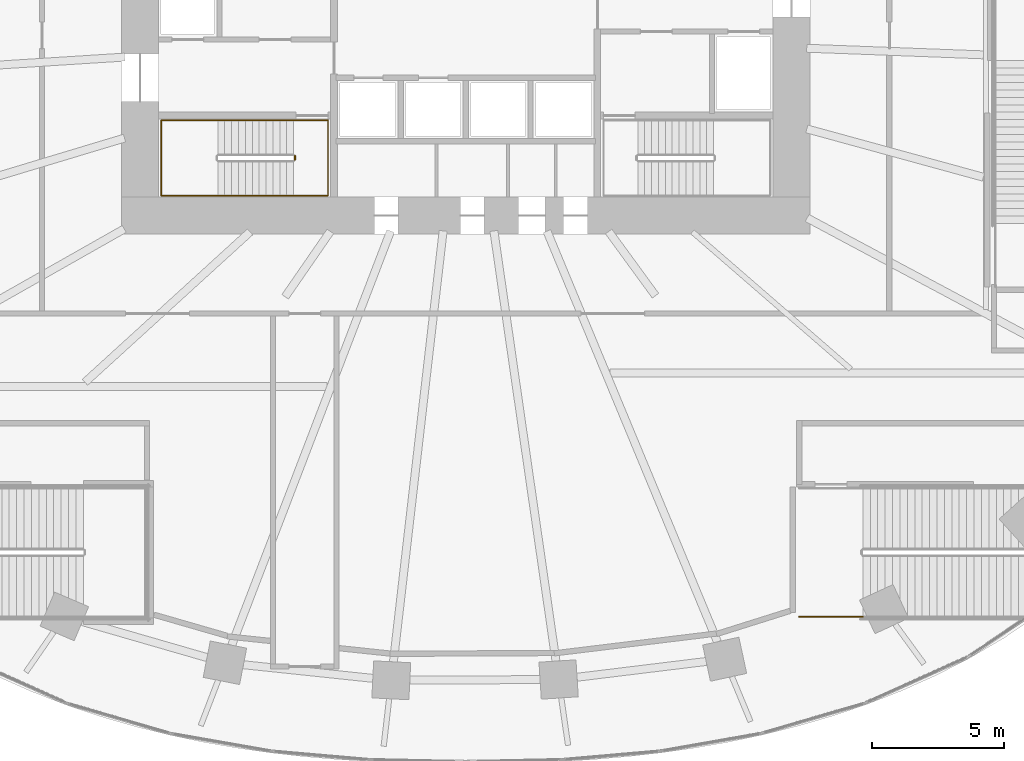
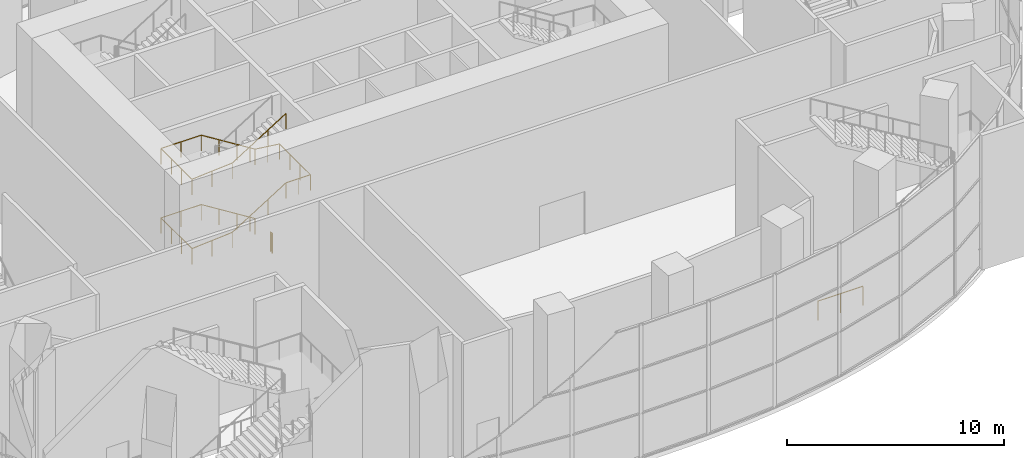
# One storey, part 19 of 22: 3 railings.
"""IFC4 building model written with IfcOpenShell, lengths in metres."""

from ifc_helpers import new_model, si_unit, direction, frame, origin, origin_2d, place, context, subcontext, project, spatial, circle, extrude, material, type_object, element, save


model = new_model("IFC4")

# Units and contexts
model_context = context("Model", 3, precision=1e-05, world=origin(), true_north=direction((0.0, 1.0)))
body_context = subcontext(model_context, "Body", "Model", "MODEL_VIEW")
ifc_project = project(units=[si_unit("LENGTHUNIT", "METRE"), si_unit("AREAUNIT", "SQUARE_METRE"), si_unit("VOLUMEUNIT", "CUBIC_METRE"), si_unit("PLANEANGLEUNIT", "RADIAN"), si_unit("MASSUNIT", "GRAM", prefix="KILO")], contexts=[model_context])

# Site, building, storey
site_placement = place(None, origin())
site = spatial("IfcSite", under=ifc_project, at=site_placement, CompositionType="ELEMENT")
building_placement = place(site_placement, origin())
building = spatial("IfcBuilding", under=site, at=building_placement, Name="Rubra Terraces Tower", CompositionType="ELEMENT")
storey_placement = place(building_placement, frame((0.0, 0.0, 7.199951171875)))
storey = spatial("IfcBuildingStorey", under=building, at=storey_placement, Name="L01", CompositionType="ELEMENT", Elevation=7.199951171875)

# Railings
ifc_material = material(Name="Stainless steel", Category="steel")
railing_type_1 = type_object("IfcRailingType", Name="Core stair guard 1100", PredefinedType="GUARDRAIL", material=ifc_material)
railing_1_placement = place(storey_placement, frame((-6.449951171875, -0.050048828125, 0.0)))
element("IfcRailing", 1, at=railing_1_placement, inside=storey, type_object=railing_type_1, Name="L01 stair S1 guard 2", PredefinedType="GUARDRAIL", context=body_context, shape_type="SweptSolid", body=[
    extrude(circle(Radius=0.02392578125, at=origin_2d()), frame((0.0, 0.0, 1.076171875), z_axis=(0.0, -1.0, 0.0), x_axis=(1.0, 0.0, 0.0)), (0.0, 0.0, 1.0), 0.14990234375),
    extrude(circle(Radius=0.02099609375, at=origin_2d()), origin(), (0.0, 0.0, 1.0), 1.052001953125),
    extrude(circle(Radius=0.02099609375, at=origin_2d()), frame((0.0, -0.14990234375, 0.0)), (0.0, 0.0, 1.0), 1.052001953125),
])
railing_type_2 = type_object("IfcRailingType", Name="Core stair handrail 900", PredefinedType="HANDRAIL", material=ifc_material)
railing_2_placement = place(storey_placement, frame((-6.5, 1.300048828125, 0.16259765625)))
element("IfcRailing", 2, at=railing_2_placement, inside=storey, type_object=railing_type_2, Name="L01 stair S1 handrail 1", PredefinedType="HANDRAIL", context=body_context, shape_type="SweptSolid", body=[
    extrude(circle(Radius=0.02392578125, at=origin_2d()), frame((0.0, 0.0, 0.8759765625), z_axis=(-0.848026770018, 0.0, 0.529953391661), x_axis=(0.0, -1.0, 0.0)), (0.0, 0.0, 1.0), 3.37255859375),
    extrude(circle(Radius=0.02392578125, at=origin_2d()), frame((-2.860107421875, 0.0, 2.6630859375), z_axis=(-1.0, 0.0, 0.0), x_axis=(0.0, -1.0, 0.0)), (0.0, 0.0, 1.0), 2.139892578125),
    extrude(circle(Radius=0.02392578125, at=origin_2d()), frame((-5.0, 0.0, 2.6630859375), z_axis=(0.0, -1.0, 0.0), x_axis=(1.0, 0.0, 0.0)), (0.0, 0.0, 1.0), 2.85009765625),
    extrude(circle(Radius=0.02392578125, at=origin_2d()), frame((-5.0, -2.85009765625, 2.6630859375), z_axis=(0.997125654253, 0.0, 0.075765623016), x_axis=(0.0, 1.0, 0.0)), (0.0, 0.0, 1.0), 2.14599609375),
    extrude(circle(Radius=0.02392578125, at=origin_2d()), frame((-2.860107421875, -2.85009765625, 2.82568359375), z_axis=(0.847994237388, 0.0, 0.530005446535), x_axis=(0.0, 1.0, 0.0)), (0.0, 0.0, 1.0), 3.372802734375),
    extrude(circle(Radius=0.02392578125, at=origin_2d()), frame((0.0, -2.85009765625, 4.61328125), z_axis=(1.0, 0.0, 0.0), x_axis=(0.0, 1.0, 0.0)), (0.0, 0.0, 1.0), 1.300048828125),
    extrude(circle(Radius=0.02392578125, at=origin_2d()), frame((1.300048828125, -2.85009765625, 4.61328125), z_axis=(0.0, 1.0, 0.0), x_axis=(-1.0, 0.0, 0.0)), (0.0, 0.0, 1.0), 2.85009765625),
    extrude(circle(Radius=0.02392578125, at=origin_2d()), frame((1.300048828125, 0.0, 4.61328125), z_axis=(-0.992292204392, 0.0, 0.123920059328), x_axis=(0.0, -1.0, 0.0)), (0.0, 0.0, 1.0), 1.31005859375),
    extrude(circle(Radius=0.02392578125, at=origin_2d()), frame((0.0, 0.0, 4.77587890625), z_axis=(-0.847994237388, 0.0, 0.530005446535), x_axis=(0.0, -1.0, 0.0)), (0.0, 0.0, 1.0), 3.372802734375),
    extrude(circle(Radius=0.02392578125, at=origin_2d()), frame((-2.860107421875, 0.0, 6.5634765625), z_axis=(-1.0, 0.0, 0.0), x_axis=(0.0, -1.0, 0.0)), (0.0, 0.0, 1.0), 2.139892578125),
    extrude(circle(Radius=0.02392578125, at=origin_2d()), frame((-5.0, 0.0, 6.5634765625), z_axis=(0.0, -1.0, 0.0), x_axis=(1.0, 0.0, 0.0)), (0.0, 0.0, 1.0), 2.85009765625),
    extrude(circle(Radius=0.02392578125, at=origin_2d()), frame((-5.0, -2.85009765625, 6.5634765625), z_axis=(0.9971342424, 0.0, 0.075652512401), x_axis=(0.0, 1.0, 0.0)), (0.0, 0.0, 1.0), 2.14599609375),
    extrude(circle(Radius=0.02392578125, at=origin_2d()), frame((-2.860107421875, -2.85009765625, 6.7255859375), z_axis=(0.847994237388, 0.0, 0.530005446535), x_axis=(0.0, 1.0, 0.0)), (0.0, 0.0, 1.0), 3.372802734375),
    extrude(circle(Radius=0.02099609375, at=origin_2d()), origin(), (0.0, 0.0, 1.0), 0.851806640625),
    extrude(circle(Radius=0.02099609375, at=origin_2d()), frame((-0.953369140625, 0.0, 0.595703125)), (0.0, 0.0, 1.0), 0.851806640625),
    extrude(circle(Radius=0.02099609375, at=origin_2d()), frame((-1.90673828125, 0.0, 1.191650390625)), (0.0, 0.0, 1.0), 0.851806640625),
    extrude(circle(Radius=0.02099609375, at=origin_2d()), frame((-2.860107421875, 0.0, 1.787353515625)), (0.0, 0.0, 1.0), 0.851806640625),
    extrude(circle(Radius=0.02099609375, at=origin_2d()), frame((-3.93017578125, 0.0, 1.787353515625)), (0.0, 0.0, 1.0), 0.851806640625),
    extrude(circle(Radius=0.02099609375, at=origin_2d()), frame((-5.0, 0.0, 1.787353515625)), (0.0, 0.0, 1.0), 0.851806640625),
    extrude(circle(Radius=0.02099609375, at=origin_2d()), frame((-5.0, -0.949951171875, 1.787353515625)), (0.0, 0.0, 1.0), 0.851806640625),
    extrude(circle(Radius=0.02099609375, at=origin_2d()), frame((-5.0, -1.900146484375, 1.787353515625)), (0.0, 0.0, 1.0), 0.851806640625),
    extrude(circle(Radius=0.02099609375, at=origin_2d()), frame((-5.0, -2.85009765625, 1.787353515625)), (0.0, 0.0, 1.0), 0.851806640625),
    extrude(circle(Radius=0.02099609375, at=origin_2d()), frame((-3.93017578125, -2.85009765625, 1.86865234375)), (0.0, 0.0, 1.0), 0.851806640625),
    extrude(circle(Radius=0.02099609375, at=origin_2d()), frame((-2.860107421875, -2.85009765625, 1.949951171875)), (0.0, 0.0, 1.0), 0.851806640625),
    extrude(circle(Radius=0.02099609375, at=origin_2d()), frame((-1.90673828125, -2.85009765625, 2.5458984375)), (0.0, 0.0, 1.0), 0.851806640625),
    extrude(circle(Radius=0.02099609375, at=origin_2d()), frame((-0.953369140625, -2.85009765625, 3.1416015625)), (0.0, 0.0, 1.0), 0.851806640625),
    extrude(circle(Radius=0.02099609375, at=origin_2d()), frame((0.0, -2.85009765625, 3.737548828125)), (0.0, 0.0, 1.0), 0.851806640625),
    extrude(circle(Radius=0.02099609375, at=origin_2d()), frame((0.64990234375, -2.85009765625, 3.737548828125)), (0.0, 0.0, 1.0), 0.851806640625),
    extrude(circle(Radius=0.02099609375, at=origin_2d()), frame((1.300048828125, -2.85009765625, 3.737548828125)), (0.0, 0.0, 1.0), 0.851806640625),
    extrude(circle(Radius=0.02099609375, at=origin_2d()), frame((1.300048828125, -1.900146484375, 3.737548828125)), (0.0, 0.0, 1.0), 0.851806640625),
    extrude(circle(Radius=0.02099609375, at=origin_2d()), frame((1.300048828125, -0.949951171875, 3.737548828125)), (0.0, 0.0, 1.0), 0.851806640625),
    extrude(circle(Radius=0.02099609375, at=origin_2d()), frame((1.300048828125, 0.0, 3.737548828125)), (0.0, 0.0, 1.0), 0.851806640625),
    extrude(circle(Radius=0.02099609375, at=origin_2d()), frame((0.64990234375, 0.0, 3.81884765625)), (0.0, 0.0, 1.0), 0.851806640625),
    extrude(circle(Radius=0.02099609375, at=origin_2d()), frame((0.0, 0.0, 3.89990234375)), (0.0, 0.0, 1.0), 0.851806640625),
    extrude(circle(Radius=0.02099609375, at=origin_2d()), frame((-0.953369140625, 0.0, 4.495849609375)), (0.0, 0.0, 1.0), 0.851806640625),
    extrude(circle(Radius=0.02099609375, at=origin_2d()), frame((-1.90673828125, 0.0, 5.091552734375)), (0.0, 0.0, 1.0), 0.851806640625),
    extrude(circle(Radius=0.02099609375, at=origin_2d()), frame((-2.860107421875, 0.0, 5.6875)), (0.0, 0.0, 1.0), 0.851806640625),
    extrude(circle(Radius=0.02099609375, at=origin_2d()), frame((-3.93017578125, 0.0, 5.6875)), (0.0, 0.0, 1.0), 0.851806640625),
    extrude(circle(Radius=0.02099609375, at=origin_2d()), frame((-5.0, 0.0, 5.6875)), (0.0, 0.0, 1.0), 0.851806640625),
    extrude(circle(Radius=0.02099609375, at=origin_2d()), frame((-5.0, -0.949951171875, 5.6875)), (0.0, 0.0, 1.0), 0.851806640625),
    extrude(circle(Radius=0.02099609375, at=origin_2d()), frame((-5.0, -1.900146484375, 5.6875)), (0.0, 0.0, 1.0), 0.851806640625),
    extrude(circle(Radius=0.02099609375, at=origin_2d()), frame((-5.0, -2.85009765625, 5.6875)), (0.0, 0.0, 1.0), 0.851806640625),
    extrude(circle(Radius=0.02099609375, at=origin_2d()), frame((-3.93017578125, -2.85009765625, 5.7685546875)), (0.0, 0.0, 1.0), 0.851806640625),
    extrude(circle(Radius=0.02099609375, at=origin_2d()), frame((-2.860107421875, -2.85009765625, 5.849853515625)), (0.0, 0.0, 1.0), 0.851806640625),
    extrude(circle(Radius=0.02099609375, at=origin_2d()), frame((-1.90673828125, -2.85009765625, 6.44580078125)), (0.0, 0.0, 1.0), 0.851806640625),
    extrude(circle(Radius=0.02099609375, at=origin_2d()), frame((-0.953369140625, -2.85009765625, 7.04150390625)), (0.0, 0.0, 1.0), 0.851806640625),
    extrude(circle(Radius=0.02099609375, at=origin_2d()), frame((0.0, -2.85009765625, 7.637451171875)), (0.0, 0.0, 1.0), 0.851806640625),
])
railing_type_3 = type_object("IfcRailingType", Name="Public stair guard 1100", PredefinedType="GUARDRAIL", material=ifc_material)
railing_3_placement = place(storey_placement, frame((12.60009765625, -17.449951171875, 0.0)))
element("IfcRailing", 3, at=railing_3_placement, inside=storey, type_object=railing_type_3, Name="L01 PS4 stair guard 8", PredefinedType="GUARDRAIL", context=body_context, shape_type="SweptSolid", body=[
    extrude(circle(Radius=0.02392578125, at=origin_2d()), frame((0.0, 0.0, 1.076171875), z_axis=(1.0, 0.0, 0.0), x_axis=(0.0, 1.0, 0.0)), (0.0, 0.0, 1.0), 2.39990234375),
    extrude(circle(Radius=0.02099609375, at=origin_2d()), origin(), (0.0, 0.0, 1.0), 1.052001953125),
    extrude(circle(Radius=0.02099609375, at=origin_2d()), frame((1.199951171875, 0.0, 0.0)), (0.0, 0.0, 1.0), 1.052001953125),
    extrude(circle(Radius=0.02099609375, at=origin_2d()), frame((2.39990234375, 0.0, 0.0)), (0.0, 0.0, 1.0), 1.052001953125),
])

save(model, "model.ifc")
